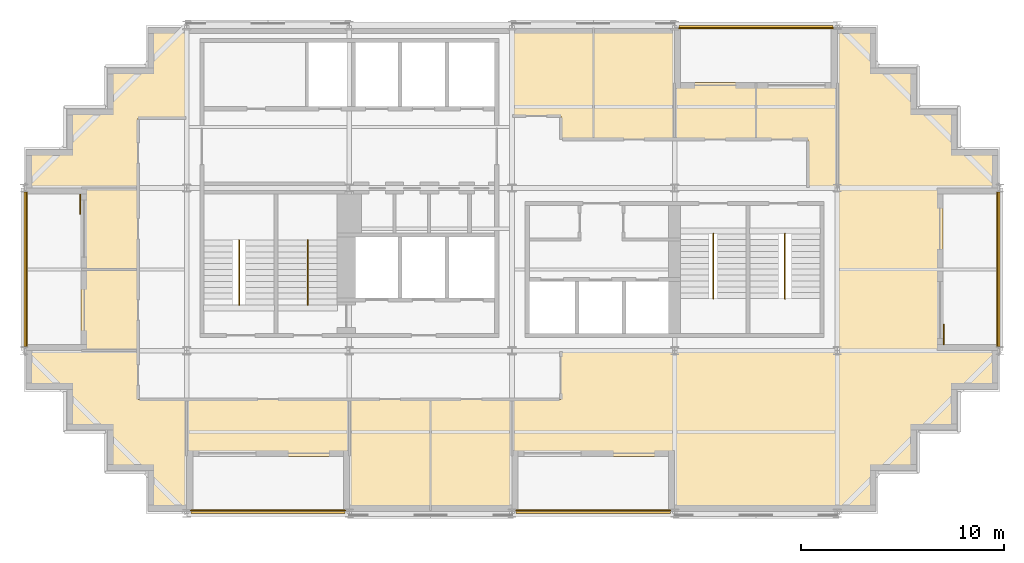
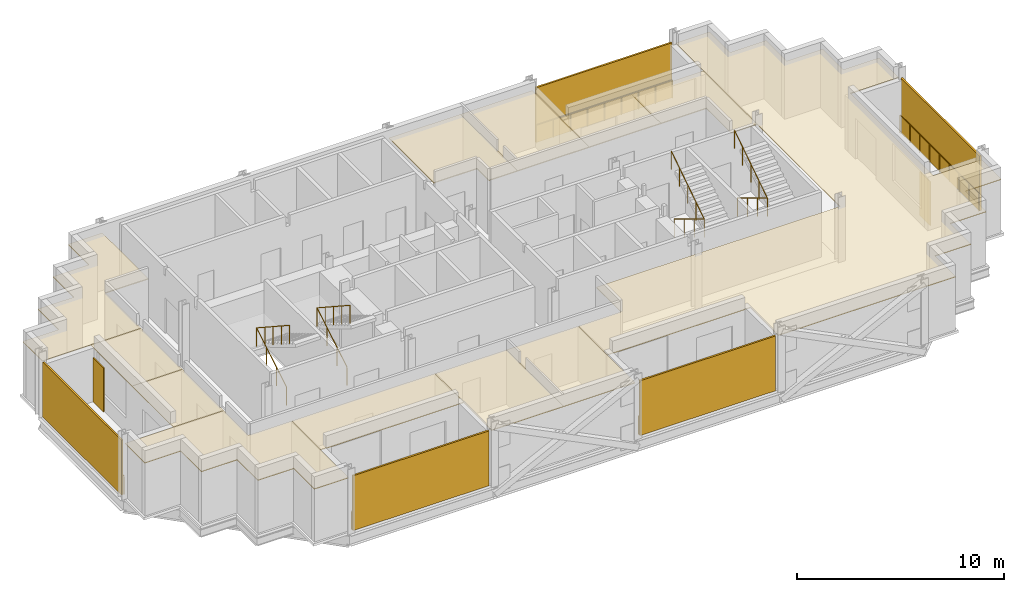
# One storey, part 7 of 7: 12 coverings, 9 railings, 7 shading devices.
"""IFC4 building model written with IfcOpenShell, lengths in metres."""

from ifc_helpers import new_model, si_unit, direction, frame, origin, origin_2d, place, context, subcontext, project, spatial, polyline, rectangle, circle, outline, extrude, material, layer, layer_set, type_object, element, save


model = new_model("IFC4")

# Units and contexts
model_context = context("Model", 3, precision=1e-05, world=origin(), true_north=direction((0.0, 1.0)))
body_context = subcontext(model_context, "Body", "Model", "MODEL_VIEW")
ifc_project = project(units=[si_unit("LENGTHUNIT", "METRE"), si_unit("AREAUNIT", "SQUARE_METRE"), si_unit("VOLUMEUNIT", "CUBIC_METRE"), si_unit("PLANEANGLEUNIT", "RADIAN"), si_unit("MASSUNIT", "GRAM", prefix="KILO")], contexts=[model_context])

# Site, building, storey
site_placement = place(None, origin())
site = spatial("IfcSite", under=ifc_project, at=site_placement, CompositionType="ELEMENT")
building_placement = place(site_placement, origin())
building = spatial("IfcBuilding", under=site, at=building_placement, Name="Immortelle Media Tower", CompositionType="ELEMENT")
storey_placement = place(building_placement, frame((0.0, 0.0, 205.0)))
storey = spatial("IfcBuildingStorey", under=building, at=storey_placement, Name="L43", CompositionType="ELEMENT", Elevation=205.0)

# Railings
ifc_material_1 = material(Name="Powder-coated aluminium fretwork panel, laminated glass backing", Category="aluminium")
railing_type_1 = type_object("IfcRailingType", Name="Fretwork balustrade 1100", PredefinedType="BALUSTRADE", material=ifc_material_1)
railing_1_placement = place(storey_placement, frame((8.200439453125, 0.139892578125, 0.0)))
element("IfcRailing", 1, at=railing_1_placement, inside=storey, type_object=railing_type_1, Name="Fretwork balustrade L43 S0", PredefinedType="BALUSTRADE", context=body_context, shape_type="SweptSolid", body=[
    extrude(circle(Radius=0.02490234375, at=origin_2d()), frame((0.0, 0.0, 1.0751953125), z_axis=(1.0, 0.0, 0.0), x_axis=(0.0, 1.0, 0.0)), (0.0, 0.0, 1.0), 7.593994140625),
    extrude(circle(Radius=0.02001953125, at=origin_2d()), origin(), (0.0, 0.0, 1.0), 1.050048828125),
    extrude(circle(Radius=0.02001953125, at=origin_2d()), frame((0.94921875, 0.0, 0.0)), (0.0, 0.0, 1.0), 1.050048828125),
    extrude(circle(Radius=0.02001953125, at=origin_2d()), frame((1.8984375, 0.0, 0.0)), (0.0, 0.0, 1.0), 1.050048828125),
    extrude(circle(Radius=0.02001953125, at=origin_2d()), frame((2.84765625, 0.0, 0.0)), (0.0, 0.0, 1.0), 1.050048828125),
    extrude(circle(Radius=0.02001953125, at=origin_2d()), frame((3.796875, 0.0, 0.0)), (0.0, 0.0, 1.0), 1.050048828125),
    extrude(circle(Radius=0.02001953125, at=origin_2d()), frame((4.746337890625, 0.0, 0.0)), (0.0, 0.0, 1.0), 1.050048828125),
    extrude(circle(Radius=0.02001953125, at=origin_2d()), frame((5.695556640625, 0.0, 0.0)), (0.0, 0.0, 1.0), 1.050048828125),
    extrude(circle(Radius=0.02001953125, at=origin_2d()), frame((6.644775390625, 0.0, 0.0)), (0.0, 0.0, 1.0), 1.050048828125),
    extrude(circle(Radius=0.02001953125, at=origin_2d()), frame((7.593994140625, 0.0, 0.0)), (0.0, 0.0, 1.0), 1.050048828125),
])
railing_2_placement = place(storey_placement, frame((24.20556640625, 0.139892578125, 0.0)))
element("IfcRailing", 2, at=railing_2_placement, inside=storey, type_object=railing_type_1, Name="Fretwork balustrade L43 S2", PredefinedType="BALUSTRADE", context=body_context, shape_type="SweptSolid", body=[
    extrude(circle(Radius=0.02490234375, at=origin_2d()), frame((0.0, 0.0, 1.0751953125), z_axis=(1.0, 0.0, 0.0), x_axis=(0.0, 1.0, 0.0)), (0.0, 0.0, 1.0), 7.5888671875),
    extrude(circle(Radius=0.02001953125, at=origin_2d()), origin(), (0.0, 0.0, 1.0), 1.050048828125),
    extrude(circle(Radius=0.02001953125, at=origin_2d()), frame((0.94873046875, 0.0, 0.0)), (0.0, 0.0, 1.0), 1.050048828125),
    extrude(circle(Radius=0.02001953125, at=origin_2d()), frame((1.897216796875, 0.0, 0.0)), (0.0, 0.0, 1.0), 1.050048828125),
    extrude(circle(Radius=0.02001953125, at=origin_2d()), frame((2.845703125, 0.0, 0.0)), (0.0, 0.0, 1.0), 1.050048828125),
    extrude(circle(Radius=0.02001953125, at=origin_2d()), frame((3.79443359375, 0.0, 0.0)), (0.0, 0.0, 1.0), 1.050048828125),
    extrude(circle(Radius=0.02001953125, at=origin_2d()), frame((4.7431640625, 0.0, 0.0)), (0.0, 0.0, 1.0), 1.050048828125),
    extrude(circle(Radius=0.02001953125, at=origin_2d()), frame((5.691650390625, 0.0, 0.0)), (0.0, 0.0, 1.0), 1.050048828125),
    extrude(circle(Radius=0.02001953125, at=origin_2d()), frame((6.64013671875, 0.0, 0.0)), (0.0, 0.0, 1.0), 1.050048828125),
    extrude(circle(Radius=0.02001953125, at=origin_2d()), frame((7.5888671875, 0.0, 0.0)), (0.0, 0.0, 1.0), 1.050048828125),
])
railing_3_placement = place(storey_placement, frame((47.860107421875, 8.199462890625, 0.0)))
element("IfcRailing", 3, at=railing_3_placement, inside=storey, type_object=railing_type_1, Name="Fretwork balustrade L43 E0", PredefinedType="BALUSTRADE", context=body_context, shape_type="SweptSolid", body=[
    extrude(circle(Radius=0.02490234375, at=origin_2d()), frame((0.0, 0.0, 1.0751953125), z_axis=(0.0, 1.0, 0.0), x_axis=(-1.0, 0.0, 0.0)), (0.0, 0.0, 1.0), 7.60107421875),
    extrude(circle(Radius=0.02001953125, at=origin_2d()), origin(), (0.0, 0.0, 1.0), 1.050048828125),
    extrude(circle(Radius=0.02001953125, at=origin_2d()), frame((0.0, 0.9501953125, 0.0)), (0.0, 0.0, 1.0), 1.050048828125),
    extrude(circle(Radius=0.02001953125, at=origin_2d()), frame((0.0, 1.900390625, 0.0)), (0.0, 0.0, 1.0), 1.050048828125),
    extrude(circle(Radius=0.02001953125, at=origin_2d()), frame((0.0, 2.850341796875, 0.0)), (0.0, 0.0, 1.0), 1.050048828125),
    extrude(circle(Radius=0.02001953125, at=origin_2d()), frame((0.0, 3.800537109375, 0.0)), (0.0, 0.0, 1.0), 1.050048828125),
    extrude(circle(Radius=0.02001953125, at=origin_2d()), frame((0.0, 4.750732421875, 0.0)), (0.0, 0.0, 1.0), 1.050048828125),
    extrude(circle(Radius=0.02001953125, at=origin_2d()), frame((0.0, 5.70068359375, 0.0)), (0.0, 0.0, 1.0), 1.050048828125),
    extrude(circle(Radius=0.02001953125, at=origin_2d()), frame((0.0, 6.65087890625, 0.0)), (0.0, 0.0, 1.0), 1.050048828125),
    extrude(circle(Radius=0.02001953125, at=origin_2d()), frame((0.0, 7.60107421875, 0.0)), (0.0, 0.0, 1.0), 1.050048828125),
])
railing_4_placement = place(storey_placement, frame((39.799560546875, 23.860107421875, 0.0)))
element("IfcRailing", 4, at=railing_4_placement, inside=storey, type_object=railing_type_1, Name="Fretwork balustrade L43 N0", PredefinedType="BALUSTRADE", context=body_context, shape_type="SweptSolid", body=[
    extrude(circle(Radius=0.02490234375, at=origin_2d()), frame((0.0, 0.0, 1.0751953125), z_axis=(-1.0, 0.0, 0.0), x_axis=(0.0, -1.0, 0.0)), (0.0, 0.0, 1.0), 7.593994140625),
    extrude(circle(Radius=0.02001953125, at=origin_2d()), origin(), (0.0, 0.0, 1.0), 1.050048828125),
    extrude(circle(Radius=0.02001953125, at=origin_2d()), frame((-0.94921875, 0.0, 0.0)), (0.0, 0.0, 1.0), 1.050048828125),
    extrude(circle(Radius=0.02001953125, at=origin_2d()), frame((-1.8984375, 0.0, 0.0)), (0.0, 0.0, 1.0), 1.050048828125),
    extrude(circle(Radius=0.02001953125, at=origin_2d()), frame((-2.84765625, 0.0, 0.0)), (0.0, 0.0, 1.0), 1.050048828125),
    extrude(circle(Radius=0.02001953125, at=origin_2d()), frame((-3.796875, 0.0, 0.0)), (0.0, 0.0, 1.0), 1.050048828125),
    extrude(circle(Radius=0.02001953125, at=origin_2d()), frame((-4.746337890625, 0.0, 0.0)), (0.0, 0.0, 1.0), 1.050048828125),
    extrude(circle(Radius=0.02001953125, at=origin_2d()), frame((-5.695556640625, 0.0, 0.0)), (0.0, 0.0, 1.0), 1.050048828125),
    extrude(circle(Radius=0.02001953125, at=origin_2d()), frame((-6.644775390625, 0.0, 0.0)), (0.0, 0.0, 1.0), 1.050048828125),
    extrude(circle(Radius=0.02001953125, at=origin_2d()), frame((-7.593994140625, 0.0, 0.0)), (0.0, 0.0, 1.0), 1.050048828125),
])
railing_5_placement = place(storey_placement, frame((0.139892578125, 15.800537109375, 0.0)))
element("IfcRailing", 5, at=railing_5_placement, inside=storey, type_object=railing_type_1, Name="Fretwork balustrade L43 W0", PredefinedType="BALUSTRADE", context=body_context, shape_type="SweptSolid", body=[
    extrude(circle(Radius=0.02490234375, at=origin_2d()), frame((0.0, 0.0, 1.0751953125), z_axis=(0.0, -1.0, 0.0), x_axis=(1.0, 0.0, 0.0)), (0.0, 0.0, 1.0), 7.60107421875),
    extrude(circle(Radius=0.02001953125, at=origin_2d()), origin(), (0.0, 0.0, 1.0), 1.050048828125),
    extrude(circle(Radius=0.02001953125, at=origin_2d()), frame((0.0, -0.9501953125, 0.0)), (0.0, 0.0, 1.0), 1.050048828125),
    extrude(circle(Radius=0.02001953125, at=origin_2d()), frame((0.0, -1.900390625, 0.0)), (0.0, 0.0, 1.0), 1.050048828125),
    extrude(circle(Radius=0.02001953125, at=origin_2d()), frame((0.0, -2.850341796875, 0.0)), (0.0, 0.0, 1.0), 1.050048828125),
    extrude(circle(Radius=0.02001953125, at=origin_2d()), frame((0.0, -3.800537109375, 0.0)), (0.0, 0.0, 1.0), 1.050048828125),
    extrude(circle(Radius=0.02001953125, at=origin_2d()), frame((0.0, -4.750732421875, 0.0)), (0.0, 0.0, 1.0), 1.050048828125),
    extrude(circle(Radius=0.02001953125, at=origin_2d()), frame((0.0, -5.70068359375, 0.0)), (0.0, 0.0, 1.0), 1.050048828125),
    extrude(circle(Radius=0.02001953125, at=origin_2d()), frame((0.0, -6.65087890625, 0.0)), (0.0, 0.0, 1.0), 1.050048828125),
    extrude(circle(Radius=0.02001953125, at=origin_2d()), frame((0.0, -7.60107421875, 0.0)), (0.0, 0.0, 1.0), 1.050048828125),
])

# Shading devices
ifc_material_2 = material(Name="Pale aluminium louvre blades", Category="aluminium")
ifc_layer_1 = layer(ifc_material_2, 0.10009765625)
ifc_layer_set_1 = layer_set([ifc_layer_1], Name="Pale aluminium louvre blades")
shading_device_type_1 = type_object("IfcShadingDeviceType", Name="Jalousie screen 100", PredefinedType="JALOUSIE", material=ifc_layer_set_1)
shading_device_1_placement = place(storey_placement, frame((11.99755859375, 0.050048828125, 0.0), z_axis=(0.0, 0.0, 1.0), x_axis=(1.0, 0.0, 0.0)))
element("IfcShadingDevice", 6, at=shading_device_1_placement, inside=storey, type_object=shading_device_type_1, Name="Jalousie screen L43 S0", PredefinedType="JALOUSIE", context=body_context, shape_type="SweptSolid", body=[
    extrude(rectangle(XDim=7.593994140625, YDim=0.10009765625, at=origin_2d()), origin(), (0.0, 0.0, 1.0), 3.238037109375),
])
shading_device_2_placement = place(storey_placement, frame((28.0, 0.050048828125, 0.0), z_axis=(0.0, 0.0, 1.0), x_axis=(1.0, 0.0, 0.0)))
element("IfcShadingDevice", 7, at=shading_device_2_placement, inside=storey, type_object=shading_device_type_1, Name="Jalousie screen L43 S2", PredefinedType="JALOUSIE", context=body_context, shape_type="SweptSolid", body=[
    extrude(rectangle(XDim=7.589111328125, YDim=0.10009765625, at=origin_2d()), origin(), (0.0, 0.0, 1.0), 3.238037109375),
])
shading_device_3_placement = place(storey_placement, frame((47.949951171875, 12.0, 0.0), z_axis=(0.0, 0.0, 1.0), x_axis=(0.0, 1.0, 0.0)))
element("IfcShadingDevice", 8, at=shading_device_3_placement, inside=storey, type_object=shading_device_type_1, Name="Jalousie screen L43 E0", PredefinedType="JALOUSIE", context=body_context, shape_type="SweptSolid", body=[
    extrude(rectangle(XDim=7.60107421875, YDim=0.10009765625, at=origin_2d()), origin(), (0.0, 0.0, 1.0), 3.238037109375),
])
shading_device_4_placement = place(storey_placement, frame((36.00244140625, 23.949951171875, 0.0), z_axis=(0.0, 0.0, 1.0), x_axis=(-1.0, 0.0, 0.0)))
element("IfcShadingDevice", 9, at=shading_device_4_placement, inside=storey, type_object=shading_device_type_1, Name="Jalousie screen L43 N0", PredefinedType="JALOUSIE", context=body_context, shape_type="SweptSolid", body=[
    extrude(rectangle(XDim=7.593994140625, YDim=0.10009765625, at=origin_2d()), origin(), (0.0, 0.0, 1.0), 3.238037109375),
])
shading_device_5_placement = place(storey_placement, frame((0.050048828125, 12.0, 0.0), z_axis=(0.0, 0.0, 1.0), x_axis=(0.0, -1.0, 0.0)))
element("IfcShadingDevice", 10, at=shading_device_5_placement, inside=storey, type_object=shading_device_type_1, Name="Jalousie screen L43 W0", PredefinedType="JALOUSIE", context=body_context, shape_type="SweptSolid", body=[
    extrude(rectangle(XDim=7.60107421875, YDim=0.10009765625, at=origin_2d()), origin(), (0.0, 0.0, 1.0), 3.238037109375),
])
ifc_material_3 = material(Name="Pale aluminium louvre blades in a folding frame", Category="aluminium")
ifc_layer_2 = layer(ifc_material_3, 0.050048828125)
ifc_layer_set_2 = layer_set([ifc_layer_2], Name="Pale aluminium louvre blades in a folding frame")
shading_device_type_2 = type_object("IfcShadingDeviceType", Name="Louvred loggia shutter", PredefinedType="SHUTTER", material=ifc_layer_set_2)
for number, where, z_axis, x_axis, name in (
    (11, (45.22509765625, 8.800048828125, 0.0), (0.0, 0.0, 1.0), (0.0, 1.0, 0.0), "Loggia shutter L43 E0"),
    (12, (2.77490234375, 15.199951171875, 0.0), (0.0, 0.0, 1.0), (0.0, -1.0, 0.0), "Loggia shutter L43 W0"),
):
    element("IfcShadingDevice", number, at=place(storey_placement, frame(where, z_axis=z_axis, x_axis=x_axis)), inside=storey, type_object=shading_device_type_2, Name=name, PredefinedType="SHUTTER", context=body_context, shape_type="SweptSolid", body=[
        extrude(rectangle(XDim=1.0, YDim=0.050048828125, at=origin_2d()), origin(), (0.0, 0.0, 1.0), 2.60009765625),
    ])

# Railings
ifc_material_4 = material(Name="Stainless steel AISI 316", Category="steel")
railing_type_2 = type_object("IfcRailingType", Name="Stair guard 1100", PredefinedType="GUARDRAIL", material=ifc_material_4)
for number, where, name in (
    (13, (10.574951171875, 10.5400390625, 0.173828125), "Stair guard SW1"),
    (14, (13.949951171875, 10.5400390625, 0.173828125), "Stair guard SW2"),
):
    element("IfcRailing", number, at=place(storey_placement, frame(where)), inside=storey, type_object=railing_type_2, Name=name, PredefinedType="GUARDRAIL", context=body_context, shape_type="SweptSolid", body=[
        extrude(circle(Radius=0.02392578125, at=origin_2d()), frame((0.0, 0.0, 1.076171875), z_axis=(0.0, 0.857582100076, 0.514347102285), x_axis=(-1.0, 0.0, 0.0)), (0.0, 0.0, 1.0), 3.381591796875),
        extrude(circle(Radius=0.02392578125, at=origin_2d()), frame((0.0, 2.89990234375, 2.8154296875), z_axis=(0.0, -0.836827423118, 0.547466769693), x_axis=(1.0, 0.0, 0.0)), (0.0, 0.0, 1.0), 3.81201171875),
        extrude(circle(Radius=0.02099609375, at=origin_2d()), origin(), (0.0, 0.0, 1.0), 1.052001953125),
        extrude(circle(Radius=0.02099609375, at=origin_2d()), frame((0.0, 0.966552734375, 0.579833984375)), (0.0, 0.0, 1.0), 1.052001953125),
        extrude(circle(Radius=0.02099609375, at=origin_2d()), frame((0.0, 1.933349609375, 1.159423828125)), (0.0, 0.0, 1.0), 1.052001953125),
        extrude(circle(Radius=0.02099609375, at=origin_2d()), frame((0.0, 2.89990234375, 1.7392578125)), (0.0, 0.0, 1.0), 1.052001953125),
        extrude(circle(Radius=0.02099609375, at=origin_2d()), frame((0.0, 2.1025390625, 2.260986328125)), (0.0, 0.0, 1.0), 1.052001953125),
        extrude(circle(Radius=0.02099609375, at=origin_2d()), frame((0.0, 1.304931640625, 2.78271484375)), (0.0, 0.0, 1.0), 1.052001953125),
        extrude(circle(Radius=0.02099609375, at=origin_2d()), frame((0.0, 0.50732421875, 3.304443359375)), (0.0, 0.0, 1.0), 1.052001953125),
        extrude(circle(Radius=0.02099609375, at=origin_2d()), frame((0.0, -0.2900390625, 3.826171875)), (0.0, 0.0, 1.0), 1.052001953125),
    ])
for number, where, name in (
    (15, (33.89990234375, 13.4599609375, 0.173828125), "Stair guard SE1"),
    (16, (37.425048828125, 13.4599609375, 0.173828125), "Stair guard SE2"),
):
    element("IfcRailing", number, at=place(storey_placement, frame(where)), inside=storey, type_object=railing_type_2, Name=name, PredefinedType="GUARDRAIL", context=body_context, shape_type="SweptSolid", body=[
        extrude(circle(Radius=0.02392578125, at=origin_2d()), frame((0.0, 0.0, 1.076171875), z_axis=(0.0, -0.857582100076, 0.514347102285), x_axis=(1.0, 0.0, 0.0)), (0.0, 0.0, 1.0), 3.381591796875),
        extrude(circle(Radius=0.02392578125, at=origin_2d()), frame((0.0, -2.89990234375, 2.8154296875), z_axis=(0.0, 0.836827423118, 0.547466769693), x_axis=(-1.0, 0.0, 0.0)), (0.0, 0.0, 1.0), 3.81201171875),
        extrude(circle(Radius=0.02099609375, at=origin_2d()), origin(), (0.0, 0.0, 1.0), 1.052001953125),
        extrude(circle(Radius=0.02099609375, at=origin_2d()), frame((0.0, -0.966552734375, 0.579833984375)), (0.0, 0.0, 1.0), 1.052001953125),
        extrude(circle(Radius=0.02099609375, at=origin_2d()), frame((0.0, -1.933349609375, 1.159423828125)), (0.0, 0.0, 1.0), 1.052001953125),
        extrude(circle(Radius=0.02099609375, at=origin_2d()), frame((0.0, -2.89990234375, 1.7392578125)), (0.0, 0.0, 1.0), 1.052001953125),
        extrude(circle(Radius=0.02099609375, at=origin_2d()), frame((0.0, -2.1025390625, 2.260986328125)), (0.0, 0.0, 1.0), 1.052001953125),
        extrude(circle(Radius=0.02099609375, at=origin_2d()), frame((0.0, -1.304931640625, 2.78271484375)), (0.0, 0.0, 1.0), 1.052001953125),
        extrude(circle(Radius=0.02099609375, at=origin_2d()), frame((0.0, -0.50732421875, 3.304443359375)), (0.0, 0.0, 1.0), 1.052001953125),
        extrude(circle(Radius=0.02099609375, at=origin_2d()), frame((0.0, 0.2900390625, 3.826171875)), (0.0, 0.0, 1.0), 1.052001953125),
    ])

# Coverings
ifc_material_5 = material(Name="Mineral fibre tile ceiling")
ifc_layer_3 = layer(ifc_material_5, 0.050048828125)
ifc_layer_set_3 = layer_set([ifc_layer_3], Name="Mineral fibre tile ceiling")
covering_type = type_object("IfcCoveringType", Name="Suspended ceiling 50", PredefinedType="CEILING", material=ifc_layer_set_3)
covering_1_placement = place(storey_placement, frame((0.0, 0.0, 3.10693359375)))
element("IfcCovering", 17, at=covering_1_placement, inside=storey, type_object=covering_type, Name="Ceiling L43-001", PredefinedType="CEILING", context=body_context, shape_type="SweptSolid", body=[
    extrude(outline(polyline([(16.0, 2.800048828125), (16.0, 5.60009765625), (20.0, 5.60009765625), (20.0, 0.10009765625), (16.0, 0.10009765625), (16.0, 2.800048828125)])), origin(), (0.0, 0.0, 1.0), 0.050048828125),
])
covering_2_placement = place(storey_placement, frame((0.0, 0.0, 3.10693359375)))
element("IfcCovering", 18, at=covering_2_placement, inside=storey, type_object=covering_type, Name="Ceiling L43-002", PredefinedType="CEILING", context=body_context, shape_type="SweptSolid", body=[
    extrude(outline(polyline([(24.0, 5.60009765625), (24.0, 2.800048828125), (24.0, 0.10009765625), (20.0, 0.10009765625), (20.0, 5.60009765625), (24.0, 5.60009765625)])), origin(), (0.0, 0.0, 1.0), 0.050048828125),
])
covering_3_placement = place(storey_placement, frame((0.0, 0.0, 3.10693359375)))
element("IfcCovering", 19, at=covering_3_placement, inside=storey, type_object=covering_type, Name="Ceiling L43-003", PredefinedType="CEILING", context=body_context, shape_type="SweptSolid", body=[
    extrude(outline(polyline([(8.0, 2.800048828125), (8.0, 5.60009765625), (16.0, 5.60009765625), (16.0, 2.800048828125), (8.0, 2.800048828125)])), origin(), (0.0, 0.0, 1.0), 0.050048828125),
])
covering_4_placement = place(storey_placement, frame((0.0, 0.0, 3.10693359375)))
element("IfcCovering", 20, at=covering_4_placement, inside=storey, type_object=covering_type, Name="Ceiling L43-004", PredefinedType="CEILING", context=body_context, shape_type="SweptSolid", body=[
    extrude(outline(polyline([(4.10009765625, 2.10009765625), (4.10009765625, 4.10009765625), (4.0, 4.10009765625), (2.10009765625, 4.10009765625), (2.10009765625, 6.10009765625), (0.10009765625, 6.10009765625), (0.10009765625, 8.0), (2.800048828125, 8.0), (4.0, 8.0), (5.60009765625, 8.0), (5.60009765625, 5.60009765625), (8.0, 5.60009765625), (8.0, 2.800048828125), (8.0, 0.10009765625), (6.10009765625, 0.10009765625), (6.10009765625, 2.10009765625), (4.10009765625, 2.10009765625)])), origin(), (0.0, 0.0, 1.0), 0.050048828125),
])
covering_5_placement = place(storey_placement, frame((0.0, 0.0, 3.10693359375)))
element("IfcCovering", 21, at=covering_5_placement, inside=storey, type_object=covering_type, Name="Ceiling L43-005", PredefinedType="CEILING", context=body_context, shape_type="SweptSolid", body=[
    extrude(outline(polyline([(26.39990234375, 5.60009765625), (26.39990234375, 8.0), (32.0, 8.0), (40.0, 8.0), (40.0, 16.0), (40.0, 21.199951171875), (40.0, 23.89990234375), (41.89990234375, 23.89990234375), (41.89990234375, 21.89990234375), (43.89990234375, 21.89990234375), (43.89990234375, 19.89990234375), (45.89990234375, 19.89990234375), (45.89990234375, 17.89990234375), (47.89990234375, 17.89990234375), (47.89990234375, 16.0), (45.199951171875, 16.0), (45.199951171875, 8.0), (47.89990234375, 8.0), (47.89990234375, 6.10009765625), (45.89990234375, 6.10009765625), (45.89990234375, 4.10009765625), (43.89990234375, 4.10009765625), (43.89990234375, 2.10009765625), (41.89990234375, 2.10009765625), (41.89990234375, 0.10009765625), (40.0, 0.10009765625), (32.0, 0.10009765625), (32.0, 2.800048828125), (24.0, 2.800048828125), (24.0, 5.60009765625), (26.39990234375, 5.60009765625)])), origin(), (0.0, 0.0, 1.0), 0.050048828125),
])
covering_6_placement = place(storey_placement, frame((0.0, 0.0, 3.10693359375)))
element("IfcCovering", 22, at=covering_6_placement, inside=storey, type_object=covering_type, Name="Ceiling L43-006", PredefinedType="CEILING", context=body_context, shape_type="SweptSolid", body=[
    extrude(outline(polyline([(2.800048828125, 8.0), (2.800048828125, 12.0), (5.60009765625, 12.0), (5.60009765625, 8.0), (2.800048828125, 8.0)])), origin(), (0.0, 0.0, 1.0), 0.050048828125),
])
covering_7_placement = place(storey_placement, frame((0.0, 0.0, 3.10693359375)))
element("IfcCovering", 23, at=covering_7_placement, inside=storey, type_object=covering_type, Name="Ceiling L43-007", PredefinedType="CEILING", context=body_context, shape_type="SweptSolid", body=[
    extrude(outline(polyline([(2.800048828125, 16.0), (5.60009765625, 16.0), (5.60009765625, 12.0), (2.800048828125, 12.0), (2.800048828125, 16.0)])), origin(), (0.0, 0.0, 1.0), 0.050048828125),
])
covering_8_placement = place(storey_placement, frame((0.0, 0.0, 3.10693359375)))
element("IfcCovering", 24, at=covering_8_placement, inside=storey, type_object=covering_type, Name="Ceiling L43-008", PredefinedType="CEILING", context=body_context, shape_type="SweptSolid", body=[
    extrude(outline(polyline([(5.60009765625, 19.449951171875), (5.60009765625, 16.0), (2.800048828125, 16.0), (0.10009765625, 16.0), (0.10009765625, 17.89990234375), (2.10009765625, 17.89990234375), (2.10009765625, 19.89990234375), (4.10009765625, 19.89990234375), (4.10009765625, 21.89990234375), (6.10009765625, 21.89990234375), (6.10009765625, 23.89990234375), (8.0, 23.89990234375), (8.0, 19.449951171875), (5.60009765625, 19.449951171875)])), origin(), (0.0, 0.0, 1.0), 0.050048828125),
])
covering_9_placement = place(storey_placement, frame((0.0, 0.0, 3.10693359375)))
element("IfcCovering", 25, at=covering_9_placement, inside=storey, type_object=covering_type, Name="Ceiling L43-009", PredefinedType="CEILING", context=body_context, shape_type="SweptSolid", body=[
    extrude(outline(polyline([(32.0, 18.39990234375), (32.0, 21.199951171875), (36.0, 21.199951171875), (36.0, 18.39990234375), (32.0, 18.39990234375)])), origin(), (0.0, 0.0, 1.0), 0.050048828125),
])
covering_10_placement = place(storey_placement, frame((0.0, 0.0, 3.10693359375)))
element("IfcCovering", 26, at=covering_10_placement, inside=storey, type_object=covering_type, Name="Ceiling L43-010", PredefinedType="CEILING", context=body_context, shape_type="SweptSolid", body=[
    extrude(outline(polyline([(38.550048828125, 18.39990234375), (36.0, 18.39990234375), (36.0, 21.199951171875), (40.0, 21.199951171875), (40.0, 16.0), (38.550048828125, 16.0), (38.550048828125, 18.39990234375)])), origin(), (0.0, 0.0, 1.0), 0.050048828125),
])
covering_11_placement = place(storey_placement, frame((0.0, 0.0, 3.10693359375)))
element("IfcCovering", 27, at=covering_11_placement, inside=storey, type_object=covering_type, Name="Ceiling L43-011", PredefinedType="CEILING", context=body_context, shape_type="SweptSolid", body=[
    extrude(outline(polyline([(26.39990234375, 18.39990234375), (26.39990234375, 19.550048828125), (24.0, 19.550048828125), (24.0, 21.199951171875), (24.0, 23.89990234375), (28.0, 23.89990234375), (28.0, 18.39990234375), (27.0, 18.39990234375), (26.39990234375, 18.39990234375)])), origin(), (0.0, 0.0, 1.0), 0.050048828125),
])
covering_12_placement = place(storey_placement, frame((0.0, 0.0, 3.10693359375)))
element("IfcCovering", 28, at=covering_12_placement, inside=storey, type_object=covering_type, Name="Ceiling L43-012", PredefinedType="CEILING", context=body_context, shape_type="SweptSolid", body=[
    extrude(outline(polyline([(32.0, 23.89990234375), (32.0, 21.199951171875), (32.0, 18.39990234375), (28.0, 18.39990234375), (28.0, 23.89990234375), (32.0, 23.89990234375)])), origin(), (0.0, 0.0, 1.0), 0.050048828125),
])

save(model, "model.ifc")
